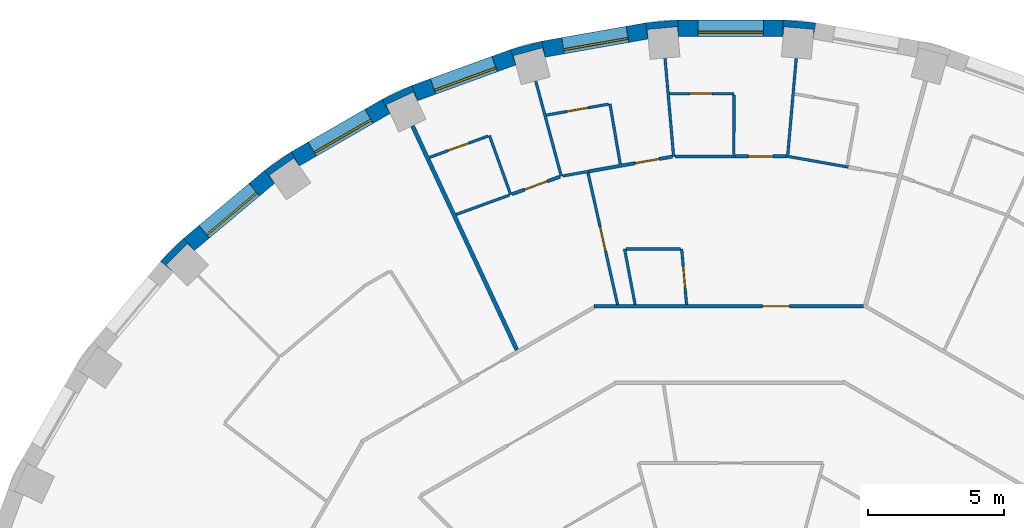
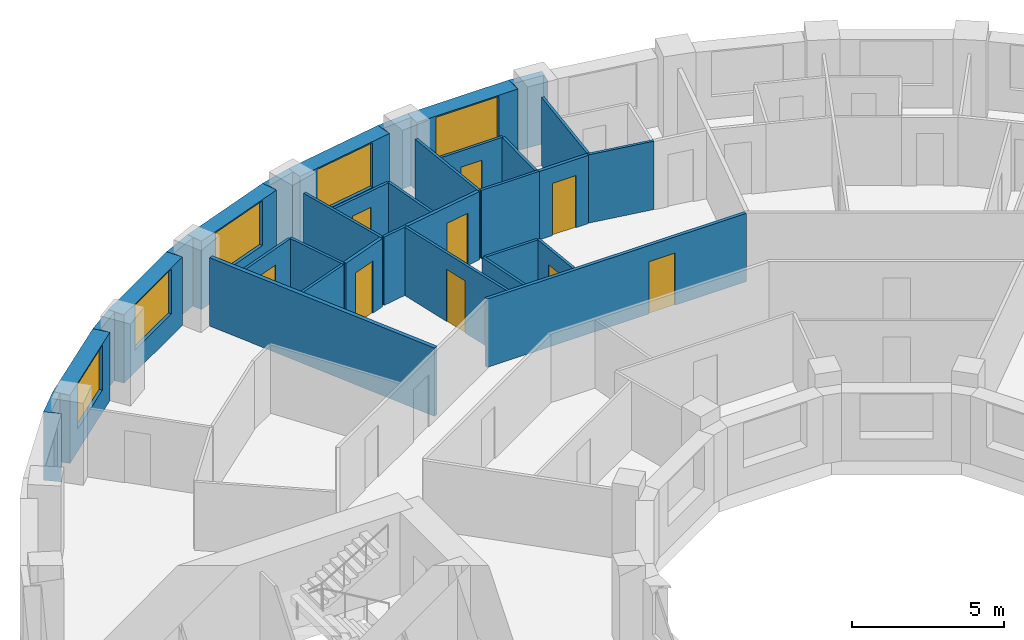
# One storey, part 11 of 15: 33 walls, 9 doors, 5 windows, 14 openings.
"""IFC4 building model written with IfcOpenShell, lengths in metres."""

from ifc_helpers import new_model, si_unit, direction, frame, frame_2d, origin, place, context, subcontext, project, spatial, polyline, rectangle, outline, extrude, material, layer, layer_set, type_object, element, fill, save


model = new_model("IFC4")

# Units and contexts
model_context = context("Model", 3, precision=1e-05, world=origin(), true_north=direction((0.0, 1.0)))
body_context = subcontext(model_context, "Body", "Model", "MODEL_VIEW")
ifc_project = project(units=[si_unit("LENGTHUNIT", "METRE"), si_unit("AREAUNIT", "SQUARE_METRE"), si_unit("VOLUMEUNIT", "CUBIC_METRE"), si_unit("PLANEANGLEUNIT", "RADIAN"), si_unit("MASSUNIT", "GRAM", prefix="KILO")], contexts=[model_context])

# Site, building, storey
site_placement = place(None, origin())
site = spatial("IfcSite", under=ifc_project, at=site_placement, CompositionType="ELEMENT")
building_placement = place(site_placement, origin())
building = spatial("IfcBuilding", under=site, at=building_placement, Name="Saqina Gate Tower", CompositionType="ELEMENT")
storey_placement = place(building_placement, frame((0.0, 0.0, 42.800048828125)))
storey = spatial("IfcBuildingStorey", under=building, at=storey_placement, Name="L11", CompositionType="ELEMENT", Elevation=42.800048828125)

# Walls
ifc_material_1 = material(Name="Brick masonry (red)", Category="masonry")
wall_type_1 = type_object("IfcWallType", Name="BRICK PIER COPING RED", PredefinedType="SOLIDWALL", material=ifc_material_1)
wall_1_placement = place(storey_placement, origin())
element("IfcWall", 1, at=wall_1_placement, inside=storey, type_object=wall_type_1, Name="Pier cap L11 column 9", PredefinedType="SOLIDWALL", context=body_context, shape_type="SweptSolid", body=[
    extrude(outline(polyline([(3.122802734375, 28.78466796875), (1.9228515625, 28.8896484375), (1.9228515625, 28.28955078125), (1.95361328125, 28.638671875), (3.04931640625, 28.54296875), (3.018798828125, 28.19384765625), (3.122802734375, 28.78466796875)])), origin(), (0.0, 0.0, 1.0), 2.75),
])
wall_2_placement = place(storey_placement, origin())
element("IfcWall", 2, at=wall_2_placement, inside=storey, type_object=wall_type_1, Name="Pier cap L11 column 10", PredefinedType="SOLIDWALL", context=body_context, shape_type="SweptSolid", body=[
    extrude(outline(polyline([(-1.9228515625, 28.8896484375), (-3.122802734375, 28.78466796875), (-3.018798828125, 28.19384765625), (-3.04931640625, 28.54296875), (-1.95361328125, 28.638671875), (-1.9228515625, 28.28955078125), (-1.9228515625, 28.8896484375)])), origin(), (0.0, 0.0, 1.0), 2.75),
])
wall_3_placement = place(storey_placement, origin())
element("IfcWall", 3, at=wall_3_placement, inside=storey, type_object=wall_type_1, Name="Pier cap L11 column 11", PredefinedType="SOLIDWALL", context=body_context, shape_type="SweptSolid", body=[
    extrude(outline(polyline([(-6.910400390625, 28.11669921875), (-8.073974609375, 27.80517578125), (-7.86865234375, 27.2412109375), (-7.95947265625, 27.57958984375), (-6.896728515625, 27.864501953125), (-6.80615234375, 27.52587890625), (-6.910400390625, 28.11669921875)])), origin(), (0.0, 0.0, 1.0), 2.75),
])
wall_4_placement = place(storey_placement, origin())
element("IfcWall", 4, at=wall_4_placement, inside=storey, type_object=wall_type_1, Name="Pier cap L11 column 12", PredefinedType="SOLIDWALL", context=body_context, shape_type="SweptSolid", body=[
    extrude(outline(polyline([(-12.779541015625, 25.980712890625), (-12.4794921875, 25.4609375), (-12.627685546875, 25.778564453125), (-11.630615234375, 26.243408203125), (-11.482666015625, 25.92578125), (-11.687744140625, 26.48974609375), (-12.779541015625, 25.980712890625)])), origin(), (0.0, 0.0, 1.0), 2.75),
])
wall_5_placement = place(storey_placement, origin())
element("IfcWall", 5, at=wall_5_placement, inside=storey, type_object=wall_type_1, Name="Pier cap L11 column 13", PredefinedType="SOLIDWALL", context=body_context, shape_type="SweptSolid", body=[
    extrude(outline(polyline([(-16.110107421875, 24.0576171875), (-17.096923828125, 23.36669921875), (-16.711181640625, 22.9072265625), (-16.912109375, 23.194091796875), (-16.010986328125, 23.8251953125), (-15.81005859375, 23.5380859375), (-16.110107421875, 24.0576171875)])), origin(), (0.0, 0.0, 1.0), 2.75),
])
wall_6_placement = place(storey_placement, origin())
element("IfcWall", 6, at=wall_6_placement, inside=storey, type_object=wall_type_1, Name="Pier cap L11 column 14", PredefinedType="SOLIDWALL", context=body_context, shape_type="SweptSolid", body=[
    extrude(outline(polyline([(-20.894775390625, 20.04296875), (-20.43505859375, 19.6572265625), (-20.682861328125, 19.905029296875), (-19.905029296875, 20.682861328125), (-19.6572265625, 20.43505859375), (-20.04296875, 20.894775390625), (-20.894775390625, 20.04296875)])), origin(), (0.0, 0.0, 1.0), 2.75),
])

# Wall, opening, window
ifc_material_2 = material(Name="Brick masonry (red)", Category="masonry")
ifc_layer_1 = layer(ifc_material_2, 0.60009765625)
ifc_layer_set_1 = layer_set([ifc_layer_1], Name="FW-BRICK-RED")
wall_type_2 = type_object("IfcWallType", Name="FW-BRICK-RED", PredefinedType="SOLIDWALL", material=ifc_layer_set_1)
wall_7_placement = place(storey_placement, frame((1.9228515625, 28.589599609375, 0.0), z_axis=(0.0, 0.0, 1.0), x_axis=(-1.0, 0.0, 0.0)))
wall_7 = element("IfcWall", 7, at=wall_7_placement, inside=storey, type_object=wall_type_2, Name="Facade wall L11 facet 9", PredefinedType="SOLIDWALL", context=body_context, shape_type="SweptSolid", body=[
    extrude(rectangle(XDim=3.845703125, YDim=0.60009765625, at=frame_2d((1.9228515625, 0.0))), origin(), (0.0, 0.0, 1.0), 2.75),
])
opening_1_placement = place(wall_7_placement, frame((0.722900390625, 0.0, 0.89990234375)))
opening_1 = element("IfcOpeningElement", 8, at=opening_1_placement, cuts=wall_7, Name="Opening G02-W07", PredefinedType="OPENING", context=body_context, shape_type="SweptSolid", body=[
    extrude(rectangle(XDim=2.39990234375, YDim=1.800048828125, at=frame_2d((1.199951171875, 0.89990234375))), frame((0.0, 0.31201171875, 0.0), z_axis=(0.0, -1.0, 0.0), x_axis=(1.0, 0.0, 0.0)), (0.0, 0.0, 1.0), 0.6240234375),
])
ifc_material_3 = material(Name="Aluminium glazing", Category="aluminium")
window_type = type_object("IfcWindowType", Name="WN-A", PartitioningType="SINGLE_PANEL", PredefinedType="WINDOW", material=ifc_material_3)
window_1_placement = place(opening_1_placement, origin())
window_1 = element("IfcWindow", 9, at=window_1_placement, inside=storey, type_object=window_type, Name="Window L11 facet 9", OverallHeight=1.800048828125, OverallWidth=2.39990234375, PartitioningType="SINGLE_PANEL", PredefinedType="WINDOW", context=body_context, shape_type="SweptSolid", body=[
    extrude(rectangle(XDim=2.39990234375, YDim=1.800048828125, at=frame_2d((1.199951171875, 0.89990234375))), frame((0.0, 0.179931640625, 0.0), z_axis=(0.0, -1.0, 0.0), x_axis=(1.0, 0.0, 0.0)), (0.0, 0.0, 1.0), 0.06005859375),
])
fill(opening_1, window_1)

wall_8_placement = place(storey_placement, frame((-3.07080078125, 28.4892578125, 0.0), z_axis=(0.0, 0.0, 1.0), x_axis=(-0.984800809218, -0.173687553279, 0.0)))
wall_8 = element("IfcWall", 10, at=wall_8_placement, inside=storey, type_object=wall_type_2, Name="Facade wall L11 facet 10", PredefinedType="SOLIDWALL", context=body_context, shape_type="SweptSolid", body=[
    extrude(rectangle(XDim=3.845703125, YDim=0.60009765625, at=frame_2d((1.9228515625, 0.0))), origin(), (0.0, 0.0, 1.0), 2.75),
])
opening_2_placement = place(wall_8_placement, frame((0.722900390625, 0.0, 0.89990234375)))
opening_2 = element("IfcOpeningElement", 11, at=opening_2_placement, cuts=wall_8, Name="Opening G02-W08", PredefinedType="OPENING", context=body_context, shape_type="SweptSolid", body=[
    extrude(rectangle(XDim=2.39990234375, YDim=1.800048828125, at=frame_2d((1.199951171875, 0.89990234375))), frame((0.0, 0.31201171875, 0.0), z_axis=(0.0, -1.0, 0.0), x_axis=(1.0, 0.0, 0.0)), (0.0, 0.0, 1.0), 0.6240234375),
])
window_2_placement = place(opening_2_placement, origin())
window_2 = element("IfcWindow", 12, at=window_2_placement, inside=storey, type_object=window_type, Name="Window L11 facet 10", OverallHeight=1.800048828125, OverallWidth=2.39990234375, PartitioningType="SINGLE_PANEL", PredefinedType="WINDOW", context=body_context, shape_type="SweptSolid", body=[
    extrude(rectangle(XDim=2.39990234375, YDim=1.800048828125, at=frame_2d((1.199951171875, 0.89990234375))), frame((0.0, 0.179931640625, 0.0), z_axis=(0.0, -1.0, 0.0), x_axis=(1.0, 0.0, 0.0)), (0.0, 0.0, 1.0), 0.06005859375),
])
fill(opening_2, window_2)

wall_9_placement = place(storey_placement, frame((-7.97119140625, 27.523193359375, 0.0), z_axis=(0.0, 0.0, 1.0), x_axis=(-0.939689588564, -0.342028474173, 0.0)))
wall_9 = element("IfcWall", 13, at=wall_9_placement, inside=storey, type_object=wall_type_2, Name="Facade wall L11 facet 11", PredefinedType="SOLIDWALL", context=body_context, shape_type="SweptSolid", body=[
    extrude(rectangle(XDim=3.845947265625, YDim=0.60009765625, at=frame_2d((1.9228515625, 0.0))), origin(), (0.0, 0.0, 1.0), 2.75),
])
opening_3_placement = place(wall_9_placement, frame((0.722900390625, 0.0, 0.89990234375)))
opening_3 = element("IfcOpeningElement", 14, at=opening_3_placement, cuts=wall_9, Name="Opening G02-W09", PredefinedType="OPENING", context=body_context, shape_type="SweptSolid", body=[
    extrude(rectangle(XDim=2.39990234375, YDim=1.800048828125, at=frame_2d((1.199951171875, 0.89990234375))), frame((0.0, 0.31201171875, 0.0), z_axis=(0.0, -1.0, 0.0), x_axis=(1.0, 0.0, 0.0)), (0.0, 0.0, 1.0), 0.6240234375),
])
window_3_placement = place(opening_3_placement, origin())
window_3 = element("IfcWindow", 15, at=window_3_placement, inside=storey, type_object=window_type, Name="Window L11 facet 11", OverallHeight=1.800048828125, OverallWidth=2.39990234375, PartitioningType="SINGLE_PANEL", PredefinedType="WINDOW", context=body_context, shape_type="SweptSolid", body=[
    extrude(rectangle(XDim=2.39990234375, YDim=1.800048828125, at=frame_2d((1.199951171875, 0.89990234375))), frame((0.0, 0.179931640625, 0.0), z_axis=(0.0, -1.0, 0.0), x_axis=(1.0, 0.0, 0.0)), (0.0, 0.0, 1.0), 0.06005859375),
])
fill(opening_3, window_3)

wall_10_placement = place(storey_placement, frame((-12.629638671875, 25.720703125, 0.0), z_axis=(0.0, 0.0, 1.0), x_axis=(-0.86603124159, -0.499989888488, 0.0)))
wall_10 = element("IfcWall", 16, at=wall_10_placement, inside=storey, type_object=wall_type_2, Name="Facade wall L11 facet 12", PredefinedType="SOLIDWALL", context=body_context, shape_type="SweptSolid", body=[
    extrude(rectangle(XDim=3.845703125, YDim=0.60009765625, at=frame_2d((1.9228515625, 0.0))), origin(), (0.0, 0.0, 1.0), 2.75),
])
opening_4_placement = place(wall_10_placement, frame((0.722900390625, 0.0, 0.89990234375)))
opening_4 = element("IfcOpeningElement", 17, at=opening_4_placement, cuts=wall_10, Name="Opening G02-W10", PredefinedType="OPENING", context=body_context, shape_type="SweptSolid", body=[
    extrude(rectangle(XDim=2.39990234375, YDim=1.800048828125, at=frame_2d((1.199951171875, 0.89990234375))), frame((0.0, 0.31201171875, 0.0), z_axis=(0.0, -1.0, 0.0), x_axis=(1.0, 0.0, 0.0)), (0.0, 0.0, 1.0), 0.6240234375),
])
window_4_placement = place(opening_4_placement, origin())
window_4 = element("IfcWindow", 18, at=window_4_placement, inside=storey, type_object=window_type, Name="Window L11 facet 12", OverallHeight=1.800048828125, OverallWidth=2.39990234375, PartitioningType="SINGLE_PANEL", PredefinedType="WINDOW", context=body_context, shape_type="SweptSolid", body=[
    extrude(rectangle(XDim=2.39990234375, YDim=1.800048828125, at=frame_2d((1.199951171875, 0.89990234375))), frame((0.0, 0.179931640625, 0.0), z_axis=(0.0, -1.0, 0.0), x_axis=(1.0, 0.0, 0.0)), (0.0, 0.0, 1.0), 0.06005859375),
])
fill(opening_4, window_4)

wall_11_placement = place(storey_placement, frame((-16.904052734375, 23.136962890625, 0.0), z_axis=(0.0, 0.0, 1.0), x_axis=(-0.766026164483, -0.642809392687, 0.0)))
wall_11 = element("IfcWall", 19, at=wall_11_placement, inside=storey, type_object=wall_type_2, Name="Facade wall L11 facet 13", PredefinedType="SOLIDWALL", context=body_context, shape_type="SweptSolid", body=[
    extrude(rectangle(XDim=3.845947265625, YDim=0.60009765625, at=frame_2d((1.9228515625, 0.0))), origin(), (0.0, 0.0, 1.0), 2.75),
])
opening_5_placement = place(wall_11_placement, frame((0.722900390625, 0.0, 0.89990234375)))
opening_5 = element("IfcOpeningElement", 20, at=opening_5_placement, cuts=wall_11, Name="Opening G02-W11", PredefinedType="OPENING", context=body_context, shape_type="SweptSolid", body=[
    extrude(rectangle(XDim=2.39990234375, YDim=1.800048828125, at=frame_2d((1.199951171875, 0.89990234375))), frame((0.0, 0.31201171875, 0.0), z_axis=(0.0, -1.0, 0.0), x_axis=(1.0, 0.0, 0.0)), (0.0, 0.0, 1.0), 0.6240234375),
])
window_5_placement = place(opening_5_placement, origin())
window_5 = element("IfcWindow", 21, at=window_5_placement, inside=storey, type_object=window_type, Name="Window L11 facet 13", OverallHeight=1.800048828125, OverallWidth=2.39990234375, PartitioningType="SINGLE_PANEL", PredefinedType="WINDOW", context=body_context, shape_type="SweptSolid", body=[
    extrude(rectangle(XDim=2.39990234375, YDim=1.800048828125, at=frame_2d((1.199951171875, 0.89990234375))), frame((0.0, 0.179931640625, 0.0), z_axis=(0.0, -1.0, 0.0), x_axis=(1.0, 0.0, 0.0)), (0.0, 0.0, 1.0), 0.06005859375),
])
fill(opening_5, window_5)

# Wall
ifc_material_4 = material(Name="Gypsum board on steel studs, 100 mm", Category="steel")
ifc_layer_2 = layer(ifc_material_4, 0.10009765625)
ifc_layer_set_2 = layer_set([ifc_layer_2], Name="PARTITION 100")
wall_type_3 = type_object("IfcWallType", Name="PARTITION 100", PredefinedType="PARTITIONING", material=ifc_layer_set_2)
wall_12_placement = place(storey_placement, frame((-2.404296875, 27.485107421875, 0.0), z_axis=(0.0, 0.0, 1.0), x_axis=(0.08706456859, -0.996202670593, 0.0)))
element("IfcWall", 22, at=wall_12_placement, inside=storey, type_object=wall_type_3, Name="PARTITION PW3-04", PredefinedType="PARTITIONING", context=body_context, shape_type="SweptSolid", body=[
    extrude(rectangle(XDim=3.60888671875, YDim=0.10009765625, at=frame_2d((1.804443359375, 0.0))), origin(), (0.0, 0.0, 1.0), 2.75),
])

# Wall, opening, door
wall_13_placement = place(storey_placement, frame((-1.7939453125, 20.5, 0.0), z_axis=(0.0, 0.0, 1.0), x_axis=(0.087005571392, -0.996207824978, 0.0)))
wall_13 = element("IfcWall", 23, at=wall_13_placement, inside=storey, type_object=wall_type_3, Name="PARTITION PW3-05", PredefinedType="PARTITIONING", context=body_context, shape_type="SweptSolid", body=[
    extrude(rectangle(XDim=2.045654296875, YDim=0.10009765625, at=frame_2d((1.02294921875, 0.0))), origin(), (0.0, 0.0, 1.0), 2.75),
])
opening_6_placement = place(wall_13_placement, frame((0.654052734375, 0.0, 0.0)))
opening_6 = element("IfcOpeningElement", 24, at=opening_6_placement, cuts=wall_13, Name="Opening G02-D21", PredefinedType="OPENING", context=body_context, shape_type="SweptSolid", body=[
    extrude(rectangle(XDim=0.800048828125, YDim=2.10009765625, at=frame_2d((0.39990234375, 1.050048828125))), frame((0.0, 0.06201171875, 0.0), z_axis=(0.0, -1.0, 0.0), x_axis=(1.0, 0.0, 0.0)), (0.0, 0.0, 1.0), 0.1240234375),
])
ifc_material_5 = material(Name="Timber door leaf, 800 mm", Category="wood")
door_type_1 = type_object("IfcDoorType", Name="DOOR 800 TIMBER", OperationType="SINGLE_SWING_LEFT", PredefinedType="DOOR", material=ifc_material_5)
door_1_placement = place(opening_6_placement, origin())
door_1 = element("IfcDoor", 25, at=door_1_placement, inside=storey, type_object=door_type_1, Name="DOOR G02-D21", OperationType="SINGLE_SWING_RIGHT", OverallHeight=2.10009765625, OverallWidth=0.800048828125, PredefinedType="DOOR", context=body_context, shape_type="SweptSolid", body=[
    extrude(rectangle(XDim=0.800048828125, YDim=2.10009765625, at=frame_2d((0.39990234375, 1.050048828125))), frame((0.0, 0.02490234375, 0.0), z_axis=(0.0, -1.0, 0.0), x_axis=(1.0, 0.0, 0.0)), (0.0, 0.0, 1.0), 0.050048828125),
])
fill(opening_6, door_1)

# Walls
wall_14_placement = place(storey_placement, frame((-4.423095703125, 25.81396484375, 0.0), z_axis=(0.0, 0.0, 1.0), x_axis=(0.168697286213, -0.985667908387, 0.0)))
element("IfcWall", 26, at=wall_14_placement, inside=storey, type_object=wall_type_3, Name="PARTITION PW3-08", PredefinedType="PARTITIONING", context=body_context, shape_type="SweptSolid", body=[
    extrude(rectangle(XDim=2.2373046875, YDim=0.10009765625, at=frame_2d((1.11865234375, 0.0))), origin(), (0.0, 0.0, 1.0), 2.75),
])
wall_15_placement = place(storey_placement, frame((-3.888916015625, 20.5, 0.0), z_axis=(0.0, 0.0, 1.0), x_axis=(0.186603866767, -0.982435238022, 0.0)))
element("IfcWall", 27, at=wall_15_placement, inside=storey, type_object=wall_type_3, Name="PARTITION PW3-10", PredefinedType="PARTITIONING", context=body_context, shape_type="SweptSolid", body=[
    extrude(rectangle(XDim=2.074951171875, YDim=0.10009765625, at=frame_2d((1.03759765625, 0.0))), origin(), (0.0, 0.0, 1.0), 2.75),
])

# Wall, opening, door
wall_16_placement = place(storey_placement, frame((-5.22802734375, 23.28515625, 0.0), z_axis=(0.0, 0.0, 1.0), x_axis=(0.219089188196, -0.975704836319, 0.0)))
wall_16 = element("IfcWall", 28, at=wall_16_placement, inside=storey, type_object=wall_type_3, Name="PARTITION PW3-11", PredefinedType="PARTITIONING", context=body_context, shape_type="SweptSolid", body=[
    extrude(rectangle(XDim=4.9443359375, YDim=0.10009765625, at=frame_2d((2.47216796875, 0.0))), origin(), (0.0, 0.0, 1.0), 2.75),
])
opening_7_placement = place(wall_16_placement, frame((2.0283203125, 0.0, 0.0)))
opening_7 = element("IfcOpeningElement", 29, at=opening_7_placement, cuts=wall_16, Name="Opening G02-D24", PredefinedType="OPENING", context=body_context, shape_type="SweptSolid", body=[
    extrude(rectangle(XDim=0.89990234375, YDim=2.10009765625, at=frame_2d((0.449951171875, 1.050048828125))), frame((0.0, 0.06201171875, 0.0), z_axis=(0.0, -1.0, 0.0), x_axis=(1.0, 0.0, 0.0)), (0.0, 0.0, 1.0), 0.1240234375),
])
ifc_material_6 = material(Name="Timber door leaf, 900 mm", Category="wood")
door_type_2 = type_object("IfcDoorType", Name="DOOR 900 TIMBER", OperationType="SINGLE_SWING_LEFT", PredefinedType="DOOR", material=ifc_material_6)
door_2_placement = place(opening_7_placement, origin())
door_2 = element("IfcDoor", 30, at=door_2_placement, inside=storey, type_object=door_type_2, Name="DOOR G02-D24", OperationType="SINGLE_SWING_RIGHT", OverallHeight=2.10009765625, OverallWidth=0.89990234375, PredefinedType="DOOR", context=body_context, shape_type="SweptSolid", body=[
    extrude(rectangle(XDim=0.89990234375, YDim=2.10009765625, at=frame_2d((0.449951171875, 1.050048828125))), frame((0.0, 0.02490234375, 0.0), z_axis=(0.0, -1.0, 0.0), x_axis=(1.0, 0.0, 0.0)), (0.0, 0.0, 1.0), 0.050048828125),
])
fill(opening_7, door_2)

# Walls
wall_17_placement = place(storey_placement, frame((-7.14306640625, 26.6494140625, 0.0), z_axis=(0.0, 0.0, 1.0), x_axis=(0.259371754041, -0.965777558864, 0.0)))
element("IfcWall", 31, at=wall_17_placement, inside=storey, type_object=wall_type_3, Name="PARTITION PW3-12", PredefinedType="PARTITIONING", context=body_context, shape_type="SweptSolid", body=[
    extrude(rectangle(XDim=3.60888671875, YDim=0.10009765625, at=frame_2d((1.804443359375, 0.0))), origin(), (0.0, 0.0, 1.0), 2.75),
])
wall_18_placement = place(storey_placement, frame((-8.839111328125, 24.653076171875, 0.0), z_axis=(0.0, 0.0, 1.0), x_axis=(0.337828591949, -0.941207651085, 0.0)))
element("IfcWall", 32, at=wall_18_placement, inside=storey, type_object=wall_type_3, Name="PARTITION PW3-18", PredefinedType="PARTITIONING", context=body_context, shape_type="SweptSolid", body=[
    extrude(rectangle(XDim=2.30029296875, YDim=0.10009765625, at=frame_2d((1.150146484375, 0.0))), origin(), (0.0, 0.0, 1.0), 2.75),
])
wall_19_placement = place(storey_placement, frame((2.0400390625, 23.89892578125, 0.0), z_axis=(0.0, 0.0, 1.0), x_axis=(0.984796344358, -0.173712866935, 0.0)))
element("IfcWall", 33, at=wall_19_placement, inside=storey, type_object=wall_type_3, Name="PARTITION PW3-55", PredefinedType="PARTITIONING", context=body_context, shape_type="SweptSolid", body=[
    extrude(rectangle(XDim=2.306396484375, YDim=0.10009765625, at=frame_2d((1.1533203125, 0.0))), origin(), (0.0, 0.0, 1.0), 2.75),
])
wall_20_placement = place(storey_placement, frame((-3.839111328125, 20.5, 0.0), z_axis=(0.0, 0.0, 1.0), x_axis=(1.0, 0.0, 0.0)))
element("IfcWall", 34, at=wall_20_placement, inside=storey, type_object=wall_type_3, Name="PARTITION PW3-62", PredefinedType="PARTITIONING", context=body_context, shape_type="SweptSolid", body=[
    extrude(rectangle(XDim=1.9951171875, YDim=0.10009765625, at=frame_2d((0.99755859375, 0.0))), origin(), (0.0, 0.0, 1.0), 2.75),
])
wall_21_placement = place(storey_placement, frame((-2.0400390625, 23.889892578125, 0.0), z_axis=(0.0, 0.0, 1.0), x_axis=(1.0, 0.0, 0.0)))
element("IfcWall", 35, at=wall_21_placement, inside=storey, type_object=wall_type_3, Name="PARTITION PW3-63", PredefinedType="PARTITIONING", context=body_context, shape_type="SweptSolid", body=[
    extrude(rectangle(XDim=2.205078125, YDim=0.10009765625, at=frame_2d((1.1025390625, 0.0))), origin(), (0.0, 0.0, 1.0), 2.75),
])

# Wall, opening, door
wall_22_placement = place(storey_placement, frame((-2.240966796875, 26.18994140625, 0.0), z_axis=(0.0, 0.0, 1.0), x_axis=(1.0, 0.0, 0.0)))
wall_22 = element("IfcWall", 36, at=wall_22_placement, inside=storey, type_object=wall_type_3, Name="PARTITION PW3-64", PredefinedType="PARTITIONING", context=body_context, shape_type="SweptSolid", body=[
    extrude(rectangle(XDim=2.366943359375, YDim=0.10009765625, at=frame_2d((1.18359375, 0.0))), origin(), (0.0, 0.0, 1.0), 2.75),
])
opening_8_placement = place(wall_22_placement, frame((0.758544921875, 0.0, 0.0)))
opening_8 = element("IfcOpeningElement", 37, at=opening_8_placement, cuts=wall_22, Name="Opening G02-D20", PredefinedType="OPENING", context=body_context, shape_type="SweptSolid", body=[
    extrude(rectangle(XDim=0.800048828125, YDim=2.10009765625, at=frame_2d((0.39990234375, 1.050048828125))), frame((0.0, 0.06201171875, 0.0), z_axis=(0.0, -1.0, 0.0), x_axis=(1.0, 0.0, 0.0)), (0.0, 0.0, 1.0), 0.1240234375),
])
door_3_placement = place(opening_8_placement, origin())
door_3 = element("IfcDoor", 38, at=door_3_placement, inside=storey, type_object=door_type_1, Name="DOOR G02-D20", OperationType="SINGLE_SWING_LEFT", OverallHeight=2.10009765625, OverallWidth=0.800048828125, PredefinedType="DOOR", context=body_context, shape_type="SweptSolid", body=[
    extrude(rectangle(XDim=0.800048828125, YDim=2.10009765625, at=frame_2d((0.39990234375, 1.050048828125))), frame((0.0, 0.02490234375, 0.0), z_axis=(0.0, -1.0, 0.0), x_axis=(1.0, 0.0, 0.0)), (0.0, 0.0, 1.0), 0.050048828125),
])
fill(opening_8, door_3)

# Wall
wall_23_placement = place(storey_placement, frame((-6.15771484375, 23.172607421875, 0.0), z_axis=(0.0, 0.0, 1.0), x_axis=(0.984806059991, 0.173657778994, 0.0)))
element("IfcWall", 39, at=wall_23_placement, inside=storey, type_object=wall_type_3, Name="PARTITION PW3-67", PredefinedType="PARTITIONING", context=body_context, shape_type="SweptSolid", body=[
    extrude(rectangle(XDim=0.982666015625, YDim=0.10009765625, at=frame_2d((0.4912109375, 0.0))), origin(), (0.0, 0.0, 1.0), 2.75),
])

# Wall, opening, door
wall_24_placement = place(storey_placement, frame((-6.754638671875, 25.402587890625, 0.0), z_axis=(0.0, 0.0, 1.0), x_axis=(0.984780377383, 0.173803361074, 0.0)))
wall_24 = element("IfcWall", 40, at=wall_24_placement, inside=storey, type_object=wall_type_3, Name="PARTITION PW3-68", PredefinedType="PARTITIONING", context=body_context, shape_type="SweptSolid", body=[
    extrude(rectangle(XDim=2.317626953125, YDim=0.10009765625, at=frame_2d((1.15869140625, 0.0))), origin(), (0.0, 0.0, 1.0), 2.75),
])
opening_9_placement = place(wall_24_placement, frame((0.7587890625, 0.0, 0.0)))
opening_9 = element("IfcOpeningElement", 41, at=opening_9_placement, cuts=wall_24, Name="Opening G02-D23", PredefinedType="OPENING", context=body_context, shape_type="SweptSolid", body=[
    extrude(rectangle(XDim=0.800048828125, YDim=2.10009765625, at=frame_2d((0.39990234375, 1.050048828125))), frame((0.0, 0.06201171875, 0.0), z_axis=(0.0, -1.0, 0.0), x_axis=(1.0, 0.0, 0.0)), (0.0, 0.0, 1.0), 0.1240234375),
])
door_4_placement = place(opening_9_placement, origin())
door_4 = element("IfcDoor", 42, at=door_4_placement, inside=storey, type_object=door_type_1, Name="DOOR G02-D23", OperationType="SINGLE_SWING_RIGHT", OverallHeight=2.10009765625, OverallWidth=0.800048828125, PredefinedType="DOOR", context=body_context, shape_type="SweptSolid", body=[
    extrude(rectangle(XDim=0.800048828125, YDim=2.10009765625, at=frame_2d((0.39990234375, 1.050048828125))), frame((0.0, 0.02490234375, 0.0), z_axis=(0.0, -1.0, 0.0), x_axis=(1.0, 0.0, 0.0)), (0.0, 0.0, 1.0), 0.050048828125),
])
fill(opening_9, door_4)

# Wall
wall_25_placement = place(storey_placement, frame((-10.064208984375, 21.759765625, 0.0), z_axis=(0.0, 0.0, 1.0), x_axis=(0.939769439446, 0.341809012, 0.0)))
element("IfcWall", 43, at=wall_25_placement, inside=storey, type_object=wall_type_3, Name="PARTITION PW3-71", PredefinedType="PARTITIONING", context=body_context, shape_type="SweptSolid", body=[
    extrude(rectangle(XDim=2.08056640625, YDim=0.10009765625, at=frame_2d((1.040283203125, 0.0))), origin(), (0.0, 0.0, 1.0), 2.75),
])

# Wall, opening, door
wall_26_placement = place(storey_placement, frame((-11.03955078125, 23.8525390625, 0.0), z_axis=(0.0, 0.0, 1.0), x_axis=(0.93974675699, 0.341871368686, 0.0)))
wall_26 = element("IfcWall", 44, at=wall_26_placement, inside=storey, type_object=wall_type_3, Name="PARTITION PW3-72", PredefinedType="PARTITIONING", context=body_context, shape_type="SweptSolid", body=[
    extrude(rectangle(XDim=2.291748046875, YDim=0.10009765625, at=frame_2d((1.14599609375, 0.0))), origin(), (0.0, 0.0, 1.0), 2.75),
])
opening_10_placement = place(wall_26_placement, frame((0.7333984375, 0.0, 0.0)))
opening_10 = element("IfcOpeningElement", 45, at=opening_10_placement, cuts=wall_26, Name="Opening G02-D26", PredefinedType="OPENING", context=body_context, shape_type="SweptSolid", body=[
    extrude(rectangle(XDim=0.800048828125, YDim=2.10009765625, at=frame_2d((0.39990234375, 1.050048828125))), frame((0.0, 0.06201171875, 0.0), z_axis=(0.0, -1.0, 0.0), x_axis=(1.0, 0.0, 0.0)), (0.0, 0.0, 1.0), 0.1240234375),
])
door_5_placement = place(opening_10_placement, origin())
door_5 = element("IfcDoor", 46, at=door_5_placement, inside=storey, type_object=door_type_1, Name="DOOR G02-D26", OperationType="SINGLE_SWING_LEFT", OverallHeight=2.10009765625, OverallWidth=0.800048828125, PredefinedType="DOOR", context=body_context, shape_type="SweptSolid", body=[
    extrude(rectangle(XDim=0.800048828125, YDim=2.10009765625, at=frame_2d((0.39990234375, 1.050048828125))), frame((0.0, 0.02490234375, 0.0), z_axis=(0.0, -1.0, 0.0), x_axis=(1.0, 0.0, 0.0)), (0.0, 0.0, 1.0), 0.050048828125),
])
fill(opening_10, door_5)

# Walls
wall_27_placement = place(storey_placement, frame((2.095458984375, 23.9521484375, 0.0), z_axis=(0.0, 0.0, 1.0), x_axis=(0.087084114239, 0.996200962179, 0.0)))
element("IfcWall", 47, at=wall_27_placement, inside=storey, type_object=wall_type_3, Name="PARTITION PW3-112", PredefinedType="PARTITIONING", context=body_context, shape_type="SweptSolid", body=[
    extrude(rectangle(XDim=3.54638671875, YDim=0.10009765625, at=frame_2d((1.773193359375, 0.0))), origin(), (0.0, 0.0, 1.0), 2.75),
])
wall_28_placement = place(storey_placement, frame((0.115234375, 23.952392578125, 0.0), z_axis=(0.0, 0.0, 1.0), x_axis=(0.004799051879, 0.999988484484, 0.0)))
element("IfcWall", 48, at=wall_28_placement, inside=storey, type_object=wall_type_3, Name="PARTITION PW3-113", PredefinedType="PARTITIONING", context=body_context, shape_type="SweptSolid", body=[
    extrude(rectangle(XDim=2.1875, YDim=0.10009765625, at=frame_2d((1.09375, 0.0))), origin(), (0.0, 0.0, 1.0), 2.75),
])

# Wall, opening, door
ifc_material_7 = material(Name="Gypsum board on steel studs, 125 mm, fire rated", Category="steel")
ifc_layer_3 = layer(ifc_material_7, 0.125)
ifc_layer_set_3 = layer_set([ifc_layer_3], Name="PARTITION EI 30 125")
wall_type_4 = type_object("IfcWallType", Name="PARTITION EI 30 125", PredefinedType="PARTITIONING", material=ifc_layer_set_3)
wall_29_placement = place(storey_placement, frame((-5.002197265625, 18.39990234375, 0.0), z_axis=(0.0, 0.0, 1.0), x_axis=(1.0, 0.0, 0.0)))
wall_29 = element("IfcWall", 49, at=wall_29_placement, inside=storey, type_object=wall_type_4, Name="PARTITION PW1-30", PredefinedType="PARTITIONING", context=body_context, shape_type="SweptSolid", body=[
    extrude(rectangle(XDim=9.86962890625, YDim=0.125, at=frame_2d((4.934814453125, 0.0))), origin(), (0.0, 0.0, 1.0), 2.75),
])
opening_11_placement = place(wall_29_placement, frame((6.162109375, 0.0, 0.0)))
opening_11 = element("IfcOpeningElement", 50, at=opening_11_placement, cuts=wall_29, Name="Opening G02-D17", PredefinedType="OPENING", context=body_context, shape_type="SweptSolid", body=[
    extrude(rectangle(XDim=1.0, YDim=2.10009765625, at=frame_2d((0.5, 1.050048828125))), frame((0.0, 0.074462890625, 0.0), z_axis=(0.0, -1.0, 0.0), x_axis=(1.0, 0.0, 0.0)), (0.0, 0.0, 1.0), 0.14892578125),
])
ifc_material_8 = material(Name="Fire door leaf EI 30, 1000 mm")
door_type_3 = type_object("IfcDoorType", Name="DOOR 1000 EI 30", OperationType="SINGLE_SWING_LEFT", PredefinedType="DOOR", material=ifc_material_8)
door_6_placement = place(opening_11_placement, origin())
door_6 = element("IfcDoor", 51, at=door_6_placement, inside=storey, type_object=door_type_3, Name="DOOR G02-D17", OperationType="SINGLE_SWING_RIGHT", OverallHeight=2.10009765625, OverallWidth=1.0, PredefinedType="DOOR", context=body_context, shape_type="SweptSolid", body=[
    extrude(rectangle(XDim=1.0, YDim=2.10009765625, at=frame_2d((0.5, 1.050048828125))), frame((0.0, 0.02490234375, 0.0), z_axis=(0.0, -1.0, 0.0), x_axis=(1.0, 0.0, 0.0)), (0.0, 0.0, 1.0), 0.050048828125),
])
fill(opening_11, door_6)

wall_30_placement = place(storey_placement, frame((0.1650390625, 23.889892578125, 0.0), z_axis=(0.0, 0.0, 1.0), x_axis=(1.0, 0.0, 0.0)))
wall_30 = element("IfcWall", 52, at=wall_30_placement, inside=storey, type_object=wall_type_4, Name="PARTITION PW1-31", PredefinedType="PARTITIONING", context=body_context, shape_type="SweptSolid", body=[
    extrude(rectangle(XDim=1.875, YDim=0.125, at=frame_2d((0.9375, 0.0))), origin(), (0.0, 0.0, 1.0), 2.75),
])
opening_12_placement = place(wall_30_placement, frame((0.487548828125, 0.0, 0.0)))
opening_12 = element("IfcOpeningElement", 53, at=opening_12_placement, cuts=wall_30, Name="Opening G02-D18", PredefinedType="OPENING", context=body_context, shape_type="SweptSolid", body=[
    extrude(rectangle(XDim=0.89990234375, YDim=2.10009765625, at=frame_2d((0.449951171875, 1.050048828125))), frame((0.0, 0.074462890625, 0.0), z_axis=(0.0, -1.0, 0.0), x_axis=(1.0, 0.0, 0.0)), (0.0, 0.0, 1.0), 0.14892578125),
])
ifc_material_9 = material(Name="Fire door leaf EI 30, 900 mm")
door_type_4 = type_object("IfcDoorType", Name="DOOR 900 EI 30", OperationType="SINGLE_SWING_LEFT", PredefinedType="DOOR", material=ifc_material_9)
door_7_placement = place(opening_12_placement, frame((0.89990234375, 0.0, 0.0), z_axis=(0.0, 0.0, 1.0), x_axis=(-1.0, 0.0, 0.0)))
door_7 = element("IfcDoor", 54, at=door_7_placement, inside=storey, type_object=door_type_4, Name="DOOR G02-D18", OperationType="SINGLE_SWING_LEFT", OverallHeight=2.10009765625, OverallWidth=0.89990234375, PredefinedType="DOOR", context=body_context, shape_type="SweptSolid", body=[
    extrude(rectangle(XDim=0.89990234375, YDim=2.10009765625, at=frame_2d((0.449951171875, 1.050048828125))), frame((0.0, 0.02490234375, 0.0), z_axis=(0.0, -1.0, 0.0), x_axis=(1.0, 0.0, 0.0)), (0.0, 0.0, 1.0), 0.050048828125),
])
fill(opening_12, door_7)

wall_31_placement = place(storey_placement, frame((-5.189697265625, 23.3427734375, 0.0), z_axis=(0.0, 0.0, 1.0), x_axis=(0.984810524367, 0.173632459798, 0.0)))
wall_31 = element("IfcWall", 55, at=wall_31_placement, inside=storey, type_object=wall_type_4, Name="PARTITION PW1-33", PredefinedType="PARTITIONING", context=body_context, shape_type="SweptSolid", body=[
    extrude(rectangle(XDim=3.09765625, YDim=0.125, at=frame_2d((1.548828125, 0.0))), origin(), (0.0, 0.0, 1.0), 2.75),
])
opening_13_placement = place(wall_31_placement, frame((1.710205078125, 0.0, 0.0)))
opening_13 = element("IfcOpeningElement", 56, at=opening_13_placement, cuts=wall_31, Name="Opening G02-D22", PredefinedType="OPENING", context=body_context, shape_type="SweptSolid", body=[
    extrude(rectangle(XDim=0.89990234375, YDim=2.10009765625, at=frame_2d((0.449951171875, 1.050048828125))), frame((0.0, 0.074462890625, 0.0), z_axis=(0.0, -1.0, 0.0), x_axis=(1.0, 0.0, 0.0)), (0.0, 0.0, 1.0), 0.14892578125),
])
door_8_placement = place(opening_13_placement, frame((0.89990234375, 0.0, 0.0), z_axis=(0.0, 0.0, 1.0), x_axis=(-1.0, 0.0, 0.0)))
door_8 = element("IfcDoor", 57, at=door_8_placement, inside=storey, type_object=door_type_4, Name="DOOR G02-D22", OperationType="SINGLE_SWING_LEFT", OverallHeight=2.10009765625, OverallWidth=0.89990234375, PredefinedType="DOOR", context=body_context, shape_type="SweptSolid", body=[
    extrude(rectangle(XDim=0.89990234375, YDim=2.10009765625, at=frame_2d((0.449951171875, 1.050048828125))), frame((0.0, 0.02490234375, 0.0), z_axis=(0.0, -1.0, 0.0), x_axis=(1.0, 0.0, 0.0)), (0.0, 0.0, 1.0), 0.050048828125),
])
fill(opening_13, door_8)

wall_32_placement = place(storey_placement, frame((-8.01513671875, 22.505126953125, 0.0), z_axis=(0.0, 0.0, 1.0), x_axis=(0.939553626447, 0.342401785962, 0.0)))
wall_32 = element("IfcWall", 58, at=wall_32_placement, inside=storey, type_object=wall_type_4, Name="PARTITION PW1-35", PredefinedType="PARTITIONING", context=body_context, shape_type="SweptSolid", body=[
    extrude(rectangle(XDim=1.87451171875, YDim=0.125, at=frame_2d((0.937255859375, 0.0))), origin(), (0.0, 0.0, 1.0), 2.75),
])
opening_14_placement = place(wall_32_placement, frame((0.4873046875, 0.0, 0.0)))
opening_14 = element("IfcOpeningElement", 59, at=opening_14_placement, cuts=wall_32, Name="Opening G02-D25", PredefinedType="OPENING", context=body_context, shape_type="SweptSolid", body=[
    extrude(rectangle(XDim=0.89990234375, YDim=2.10009765625, at=frame_2d((0.449951171875, 1.050048828125))), frame((0.0, 0.074462890625, 0.0), z_axis=(0.0, -1.0, 0.0), x_axis=(1.0, 0.0, 0.0)), (0.0, 0.0, 1.0), 0.14892578125),
])
door_9_placement = place(opening_14_placement, frame((0.89990234375, 0.0, 0.0), z_axis=(0.0, 0.0, 1.0), x_axis=(-1.0, 0.0, 0.0)))
door_9 = element("IfcDoor", 60, at=door_9_placement, inside=storey, type_object=door_type_4, Name="DOOR G02-D25", OperationType="SINGLE_SWING_LEFT", OverallHeight=2.10009765625, OverallWidth=0.89990234375, PredefinedType="DOOR", context=body_context, shape_type="SweptSolid", body=[
    extrude(rectangle(XDim=0.89990234375, YDim=2.10009765625, at=frame_2d((0.449951171875, 1.050048828125))), frame((0.0, 0.02490234375, 0.0), z_axis=(0.0, -1.0, 0.0), x_axis=(1.0, 0.0, 0.0)), (0.0, 0.0, 1.0), 0.050048828125),
])
fill(opening_14, door_9)

# Wall
ifc_material_10 = material(Name="Gypsum board on steel studs, 150 mm, fire rated", Category="steel")
ifc_layer_4 = layer(ifc_material_10, 0.14990234375)
ifc_layer_set_4 = layer_set([ifc_layer_4], Name="PARTITION EI 60 150")
wall_type_5 = type_object("IfcWallType", Name="PARTITION EI 60 150", PredefinedType="PARTITIONING", material=ifc_layer_set_4)
wall_33_placement = place(storey_placement, frame((-11.658935546875, 25.005615234375, 0.0), z_axis=(0.0, 0.0, 1.0), x_axis=(0.422264101424, -0.906472850475, 0.0)))
element("IfcWall", 61, at=wall_33_placement, inside=storey, type_object=wall_type_5, Name="PARTITION PW2-01", PredefinedType="PARTITIONING", context=body_context, shape_type="SweptSolid", body=[
    extrude(rectangle(XDim=9.05712890625, YDim=0.14990234375, at=frame_2d((4.528564453125, 0.0))), origin(), (0.0, 0.0, 1.0), 2.75),
])

save(model, "model.ifc")
